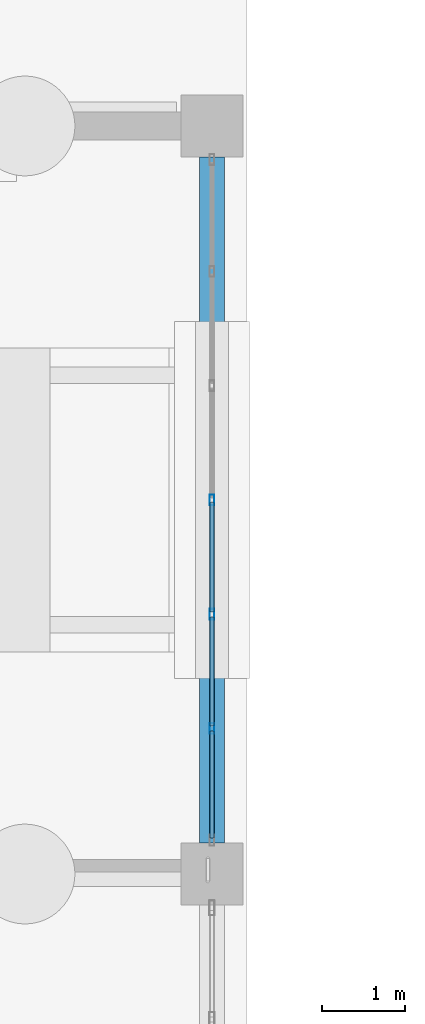
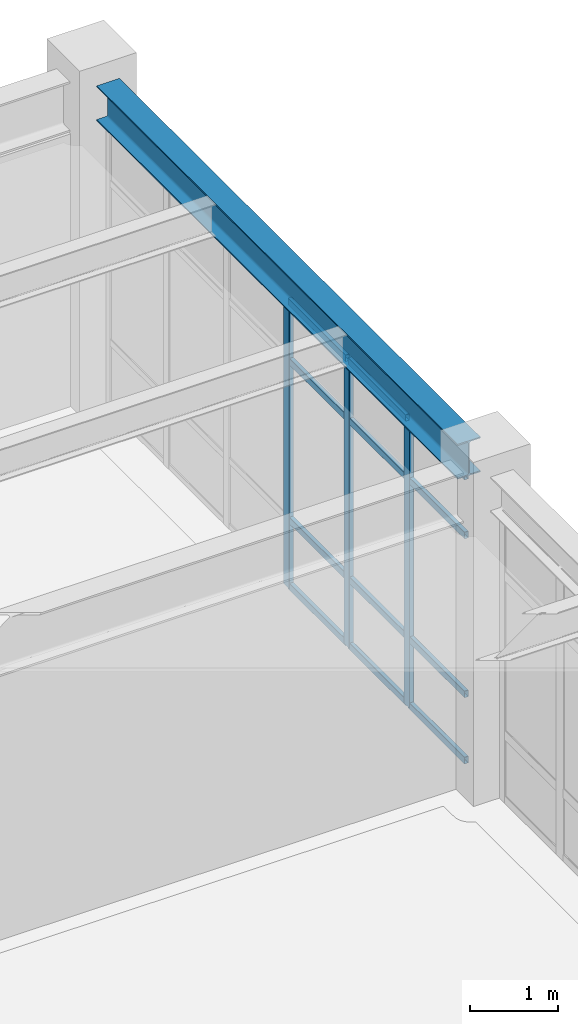
# One storey, part 50 of 98: 15 members, 1 beam, 1 element without a shape of its own.
"""IFC4 building model written with IfcOpenShell, lengths in metres."""

import ifcopenshell
import ifcopenshell.guid

model = None  # the IFC model being written
_history = None  # IfcOwnerHistory: only IFC2X3 demands one
_inside = {}  # id of a spatial element -> (the spatial element, [elements in it])
_under = {}  # id of a project, library or spatial element -> (it, [spatial elements below it])
_declared = {}  # id of a project -> (the project, [libraries it declares])
_typed = {}  # id of a type object -> (the type object, [elements of that type])
_made_of = {}  # id of a material, layer set ... -> (it, [elements and type objects made of it])


def new_model(schema):
    """Start an empty IFC model of exactly this schema.

    Asked for "IFC4X3", IfcOpenShell would pick the latest addendum, in which some entities
    have other attributes; the version numbers below select the first issue.
    IFC2X3 requires an IfcOwnerHistory on every rooted entity: one is made here for all.
    """
    global model, _history
    if schema == "IFC4X3":
        model = ifcopenshell.file(schema_version=(4, 3, 0, 0))
    else:
        model = ifcopenshell.file(schema=schema)
    _inside.clear()
    _under.clear()
    _declared.clear()
    _typed.clear()
    _made_of.clear()
    _history = None
    if model.schema == "IFC2X3":
        org = make("IfcOrganization", Name="unknown")
        user = make(
            "IfcPersonAndOrganization",
            ThePerson=make("IfcPerson", FamilyName="unknown"),
            TheOrganization=org,
        )
        app = make(
            "IfcApplication",
            ApplicationDeveloper=org,
            Version="unknown",
            ApplicationFullName="unknown",
            ApplicationIdentifier="unknown",
        )
        _history = make(
            "IfcOwnerHistory",
            OwningUser=user,
            OwningApplication=app,
            ChangeAction="ADDED",
            CreationDate=0,
        )
    return model


def make(cls, **values):
    """One entity of the class cls with the attributes given. An attribute that is None is left unset."""
    return model.create_entity(
        cls, **{name: value for name, value in values.items() if value is not None}
    )


def rooted(cls, **values):
    """An entity with a GlobalId (a new one), such as an element, a storey or a relation."""
    return make(cls, GlobalId=ifcopenshell.guid.new(), OwnerHistory=_history, **values)


def si_unit(unit_type, name, prefix=None):
    """IfcSIUnit, for example si_unit("LENGTHUNIT", "METRE", prefix="MILLI")."""
    return make("IfcSIUnit", UnitType=unit_type, Prefix=prefix, Name=name)


def assignment(units):
    """IfcUnitAssignment: the units of a project."""
    return None if units is None else make("IfcUnitAssignment", Units=units)


def point(xyz):
    """IfcCartesianPoint."""
    return None if xyz is None else make("IfcCartesianPoint", Coordinates=xyz)


def direction(xyz):
    """IfcDirection."""
    return None if xyz is None else make("IfcDirection", DirectionRatios=xyz)


def frame(location, z_axis=None, x_axis=None):
    """IfcAxis2Placement3D, a coordinate frame: its origin and axes. An axis left out is left unset."""
    return make(
        "IfcAxis2Placement3D",
        Location=point(location),
        Axis=direction(z_axis),
        RefDirection=direction(x_axis),
    )


def frame_2d(location, x_axis=None):
    """IfcAxis2Placement2D, a coordinate frame in the plane: its origin and x axis."""
    return make(
        "IfcAxis2Placement2D", Location=point(location), RefDirection=direction(x_axis)
    )


def origin():
    """The frame at (0, 0, 0) with its axes left unset."""
    return frame((0.0, 0.0, 0.0))


def origin_2d():
    """The frame at (0, 0) in the plane with its x axis left unset."""
    return frame_2d((0.0, 0.0))


def place(relative_to, where):
    """IfcLocalPlacement: puts the frame where relative to a parent placement (None: the world)."""
    return make(
        "IfcLocalPlacement", PlacementRelTo=relative_to, RelativePlacement=where
    )


def context(
    kind, dimensions, precision=None, world=None, true_north=None, identifier=None
):
    """IfcGeometricRepresentationContext, for example the 3D "Model" context."""
    return make(
        "IfcGeometricRepresentationContext",
        ContextIdentifier=identifier,
        ContextType=kind,
        CoordinateSpaceDimension=dimensions,
        Precision=precision,
        WorldCoordinateSystem=world,
        TrueNorth=true_north,
    )


def subcontext(parent, identifier, kind, view, scale=None):
    """IfcGeometricRepresentationSubContext, for example "Body" below "Model"."""
    return make(
        "IfcGeometricRepresentationSubContext",
        ContextIdentifier=identifier,
        ContextType=kind,
        ParentContext=parent,
        TargetScale=scale,
        TargetView=view,
    )


def project(units=None, contexts=None):
    """IfcProject with its units and contexts."""
    return rooted(
        "IfcProject",
        Name="project",
        RepresentationContexts=contexts,
        UnitsInContext=assignment(units),
    )


def spatial(cls, under=None, at=None, **own):
    """A site, building, storey or space (cls), placed at a placement, below another one or the project."""
    s = rooted(cls, ObjectPlacement=at, **own)
    if under is not None:
        _under.setdefault(under.id(), (under, []))[1].append(s)
    return s


def profile(cls, at=None, kind="AREA", **sizes):
    """A parametric profile (cls). Its sizes go by their IFC names, for example OverallWidth=200.0."""
    return make(cls, ProfileType=kind, Position=at, **sizes)


def hollow_rectangle(**sizes):
    """IfcRectangleHollowProfileDef."""
    return profile("IfcRectangleHollowProfileDef", **sizes)


def i_section(**sizes):
    """IfcIShapeProfileDef."""
    return profile("IfcIShapeProfileDef", **sizes)


def extrude(swept, where, along, depth):
    """IfcExtrudedAreaSolid: the profile swept, set in the frame where, extruded along a direction by depth."""
    return make(
        "IfcExtrudedAreaSolid",
        SweptArea=swept,
        Position=where,
        ExtrudedDirection=direction(along),
        Depth=depth,
    )


def shape(context_of_items, identifier, shape_type, items):
    """IfcShapeRepresentation: the items that make up one representation, for example the "Body"."""
    return make(
        "IfcShapeRepresentation",
        ContextOfItems=context_of_items,
        RepresentationIdentifier=identifier,
        RepresentationType=shape_type,
        Items=items,
    )


def material(Name=None, Category=None):
    """IfcMaterial."""
    return make("IfcMaterial", Name=Name, Category=Category)


def material_profile(
    of_material, cross_section, Name=None, Category=None, Priority=None
):
    """IfcMaterialProfile: a cross section and its material."""
    return make(
        "IfcMaterialProfile",
        Name=Name,
        Material=of_material,
        Profile=cross_section,
        Priority=Priority,
        Category=Category,
    )


def profile_set(profiles, Name=None, composite=None):
    """IfcMaterialProfileSet."""
    return make(
        "IfcMaterialProfileSet",
        Name=Name,
        MaterialProfiles=profiles,
        CompositeProfile=composite,
    )


def made_of(thing, what):
    """Note that an element or type object is made of a material, layer set ...; save() writes the relation."""
    if what is not None:
        _made_of.setdefault(what.id(), (what, []))[1].append(thing)
    return thing


def type_object(cls, material=None, **own):
    """A type object (cls), such as IfcWallType, which elements share."""
    return made_of(rooted(cls, **own), material)


def element(
    cls,
    number,
    at=None,
    inside=None,
    cuts=None,
    type_object=None,
    material=None,
    context=None,
    identifier="Body",
    shape_type=None,
    held_by="IfcProductDefinitionShape",
    body=None,
    shapes=None,
    **own,
):
    """One element of the class cls, such as IfcWall. Its Tag is "e" and its number.

    at: its placement. inside: the storey or other place that contains it. cuts: it is an
    opening in that element (IfcRelVoidsElement). A single representation is given by context,
    identifier, shape_type and body (its items); several are given by shapes. held_by: the class
    of the entity that holds the representations. save() writes the other relations.
    """
    e = rooted(cls, Tag="e%d" % number, ObjectPlacement=at, **own)
    if body is not None:
        shapes = [shape(context, identifier, shape_type, body)]
    if shapes is not None:
        e.Representation = make(held_by, Representations=shapes)
    if inside is not None:
        _inside.setdefault(inside.id(), (inside, []))[1].append(e)
    if cuts is not None:
        rooted(
            "IfcRelVoidsElement", RelatingBuildingElement=cuts, RelatedOpeningElement=e
        )
    if type_object is not None:
        _typed.setdefault(type_object.id(), (type_object, []))[1].append(e)
    return made_of(e, material)


def aggregate(whole, parts):
    """IfcRelAggregates: a whole, such as a stair, and the parts it consists of."""
    return rooted("IfcRelAggregates", RelatingObject=whole, RelatedObjects=parts)


def save(model, path):
    """Write the relations noted so far, then the file.

    IfcRelAggregates (storeys below a building ...), IfcRelContainedInSpatialStructure (elements
    in a storey), IfcRelDefinesByType, IfcRelAssociatesMaterial and IfcRelDeclares: one each for
    every whole, place, type object, material and project.
    """
    for whole, parts in _under.values():
        aggregate(whole, parts)
    for where, things in _inside.values():
        rooted(
            "IfcRelContainedInSpatialStructure",
            RelatedElements=things,
            RelatingStructure=where,
        )
    for kind, things in _typed.values():
        rooted("IfcRelDefinesByType", RelatedObjects=things, RelatingType=kind)
    for what, things in _made_of.values():
        rooted("IfcRelAssociatesMaterial", RelatedObjects=things, RelatingMaterial=what)
    for by, libraries in _declared.values():
        rooted("IfcRelDeclares", RelatingContext=by, RelatedDefinitions=libraries)
    model.write(path)


model = new_model("IFC4")

# Units and contexts
model_context = context("Model", 3, precision=1e-05, world=origin(), true_north=direction((0.0, 1.0)))
body_context = subcontext(model_context, "Body", "Model", "MODEL_VIEW")
ifc_project = project(units=[si_unit("LENGTHUNIT", "METRE"), si_unit("AREAUNIT", "SQUARE_METRE"), si_unit("VOLUMEUNIT", "CUBIC_METRE"), si_unit("PLANEANGLEUNIT", "RADIAN"), si_unit("MASSUNIT", "GRAM", prefix="KILO")], contexts=[model_context])

# Site, building, storey
site_placement = place(None, origin())
site = spatial("IfcSite", under=ifc_project, at=site_placement, CompositionType="ELEMENT")
building_placement = place(site_placement, origin())
building = spatial("IfcBuilding", under=site, at=building_placement, Name="Canglan Escarpment Cableway Terminal", CompositionType="ELEMENT")
storey_placement = place(building_placement, frame((0.0, 0.0, 9.60009765625)))
storey = spatial("IfcBuildingStorey", under=building, at=storey_placement, Name="L02", CompositionType="ELEMENT", Elevation=9.60009765625)

# Beam
ifc_material_1 = material(Name="Steel Q355B", Category="steel")
ifc_material_profile_1 = material_profile(ifc_material_1, i_section(OverallWidth=0.300048828125, OverallDepth=0.488037109375, WebThickness=0.010986328125, FlangeThickness=0.01806640625, FilletRadius=0.02587890625, at=origin_2d()), Name="HM 488x300x11x18")
ifc_profile_set_1 = profile_set([ifc_material_profile_1], Name="Steel Q355B")
beam_type = type_object("IfcBeamType", Name="BM-HM488", PredefinedType="BEAM", material=ifc_profile_set_1)
beam_placement = place(storey_placement, frame((136.699951171875, 70.375, 4.27587890625), z_axis=(0.0, 1.0, 0.0), x_axis=(-1.0, 0.0, 0.0)))
element("IfcBeam", 1, at=beam_placement, inside=storey, type_object=beam_type, Name="Primary transverse girder B-09", PredefinedType="BEAM", context=body_context, shape_type="SweptSolid", body=[
    extrude(i_section(OverallWidth=0.300048828125, OverallDepth=0.488037109375, WebThickness=0.010986328125, FlangeThickness=0.01806640625, FilletRadius=0.02587890625, at=origin_2d()), origin(), (0.0, 0.0, 1.0), 8.25),
])

# Curtain wall, members
ifc_material_2 = material(Name="Anodized bronze aluminium and Low-E double glazing", Category="aluminium")
curtain_wall_type = type_object("IfcCurtainWallType", Name="CW-BAY-8250x4025", PredefinedType="NOTDEFINED", material=ifc_material_2)
curtain_wall_placement = place(storey_placement, origin())
curtain_wall = element("IfcCurtainWall", 2, at=curtain_wall_placement, inside=storey, type_object=curtain_wall_type, Name="Classical bay-between-piers glazed curtain wall CW-43", PredefinedType="NOTDEFINED")
ifc_material_3 = material(Name="Thermally broken anodized aluminium 6063-T6", Category="aluminium")
ifc_material_profile_2 = material_profile(ifc_material_3, hollow_rectangle(XDim=0.06005859375, YDim=0.1298828125, WallThickness=0.0029296875, InnerFilletRadius=0.0029296875, OuterFilletRadius=0.006103515625, at=origin_2d()), Name="ALU-MULL 60x130x3")
ifc_profile_set_2 = profile_set([ifc_material_profile_2], Name="Thermally broken anodized aluminium 6063-T6")
member_type_1 = type_object("IfcMemberType", Name="CWM-01", PredefinedType="MULLION", material=ifc_profile_set_2)
member_1_placement = place(storey_placement, frame((136.699951171875, 71.75, 0.0), z_axis=(0.0, 0.0, 1.0), x_axis=(-1.0, 0.0, 0.0)))
member_1 = element("IfcMember", 3, at=member_1_placement, type_object=member_type_1, Name="CW-43 mullion 2", PredefinedType="MULLION", context=body_context, shape_type="SweptSolid", body=[
    extrude(hollow_rectangle(XDim=0.06005859375, YDim=0.1298828125, WallThickness=0.0029296875, InnerFilletRadius=0.0029296875, OuterFilletRadius=0.006103515625, at=origin_2d()), origin(), (0.0, 0.0, 1.0), 4.016845703125),
])
member_2_placement = place(storey_placement, frame((136.699951171875, 73.125, 0.0), z_axis=(0.0, 0.0, 1.0), x_axis=(-1.0, 0.0, 0.0)))
member_2 = element("IfcMember", 4, at=member_2_placement, type_object=member_type_1, Name="CW-43 mullion 3", PredefinedType="MULLION", context=body_context, shape_type="SweptSolid", body=[
    extrude(hollow_rectangle(XDim=0.06005859375, YDim=0.1298828125, WallThickness=0.0029296875, InnerFilletRadius=0.0029296875, OuterFilletRadius=0.006103515625, at=origin_2d()), origin(), (0.0, 0.0, 1.0), 4.016845703125),
])
member_3_placement = place(storey_placement, frame((136.699951171875, 74.5, 0.0), z_axis=(0.0, 0.0, 1.0), x_axis=(-1.0, 0.0, 0.0)))
member_3 = element("IfcMember", 5, at=member_3_placement, type_object=member_type_1, Name="CW-43 mullion 4", PredefinedType="MULLION", context=body_context, shape_type="SweptSolid", body=[
    extrude(hollow_rectangle(XDim=0.06005859375, YDim=0.1298828125, WallThickness=0.0029296875, InnerFilletRadius=0.0029296875, OuterFilletRadius=0.006103515625, at=origin_2d()), origin(), (0.0, 0.0, 1.0), 4.016845703125),
])
ifc_material_profile_3 = material_profile(ifc_material_3, hollow_rectangle(XDim=0.054931640625, YDim=0.094970703125, WallThickness=0.0029296875, InnerFilletRadius=0.0029296875, OuterFilletRadius=0.006103515625, at=origin_2d()), Name="ALU-TRAN 55x95x3")
ifc_profile_set_3 = profile_set([ifc_material_profile_3], Name="Thermally broken anodized aluminium 6063-T6")
member_type_2 = type_object("IfcMemberType", Name="CWT-01", PredefinedType="USERDEFINED", material=ifc_profile_set_3)
member_4_placement = place(storey_placement, frame((136.699951171875, 70.43505859375, 0.02734375), z_axis=(0.0, 1.0, 0.0), x_axis=(-1.0, 0.0, 0.0)))
member_4 = element("IfcMember", 6, at=member_4_placement, type_object=member_type_2, Name="CW-43 transom 1.1", ObjectType="TRANSOM", PredefinedType="USERDEFINED", context=body_context, shape_type="SweptSolid", body=[
    extrude(hollow_rectangle(XDim=0.054931640625, YDim=0.094970703125, WallThickness=0.0029296875, InnerFilletRadius=0.0029296875, OuterFilletRadius=0.006103515625, at=origin_2d()), origin(), (0.0, 0.0, 1.0), 1.284912109375),
])
member_5_placement = place(storey_placement, frame((136.699951171875, 70.43505859375, 0.949951171875), z_axis=(0.0, 1.0, 0.0), x_axis=(-1.0, 0.0, 0.0)))
member_5 = element("IfcMember", 7, at=member_5_placement, type_object=member_type_2, Name="CW-43 transom 1.2", ObjectType="TRANSOM", PredefinedType="USERDEFINED", context=body_context, shape_type="SweptSolid", body=[
    extrude(hollow_rectangle(XDim=0.054931640625, YDim=0.094970703125, WallThickness=0.0029296875, InnerFilletRadius=0.0029296875, OuterFilletRadius=0.006103515625, at=origin_2d()), origin(), (0.0, 0.0, 1.0), 1.284912109375),
])
member_6_placement = place(storey_placement, frame((136.699951171875, 70.43505859375, 3.1669921875), z_axis=(0.0, 1.0, 0.0), x_axis=(-1.0, 0.0, 0.0)))
member_6 = element("IfcMember", 8, at=member_6_placement, type_object=member_type_2, Name="CW-43 transom 1.3", ObjectType="TRANSOM", PredefinedType="USERDEFINED", context=body_context, shape_type="SweptSolid", body=[
    extrude(hollow_rectangle(XDim=0.054931640625, YDim=0.094970703125, WallThickness=0.0029296875, InnerFilletRadius=0.0029296875, OuterFilletRadius=0.006103515625, at=origin_2d()), origin(), (0.0, 0.0, 1.0), 1.284912109375),
])
member_7_placement = place(storey_placement, frame((136.699951171875, 70.43505859375, 3.989501953125), z_axis=(0.0, 1.0, 0.0), x_axis=(-1.0, 0.0, 0.0)))
member_7 = element("IfcMember", 9, at=member_7_placement, type_object=member_type_2, Name="CW-43 transom 1.4", ObjectType="TRANSOM", PredefinedType="USERDEFINED", context=body_context, shape_type="SweptSolid", body=[
    extrude(hollow_rectangle(XDim=0.054931640625, YDim=0.094970703125, WallThickness=0.0029296875, InnerFilletRadius=0.0029296875, OuterFilletRadius=0.006103515625, at=origin_2d()), origin(), (0.0, 0.0, 1.0), 1.284912109375),
])
member_8_placement = place(storey_placement, frame((136.699951171875, 71.780029296875, 0.02734375), z_axis=(0.0, 1.0, 0.0), x_axis=(-1.0, 0.0, 0.0)))
member_8 = element("IfcMember", 10, at=member_8_placement, type_object=member_type_2, Name="CW-43 transom 2.1", ObjectType="TRANSOM", PredefinedType="USERDEFINED", context=body_context, shape_type="SweptSolid", body=[
    extrude(hollow_rectangle(XDim=0.054931640625, YDim=0.094970703125, WallThickness=0.0029296875, InnerFilletRadius=0.0029296875, OuterFilletRadius=0.006103515625, at=origin_2d()), origin(), (0.0, 0.0, 1.0), 1.31494140625),
])
member_9_placement = place(storey_placement, frame((136.699951171875, 71.780029296875, 0.949951171875), z_axis=(0.0, 1.0, 0.0), x_axis=(-1.0, 0.0, 0.0)))
member_9 = element("IfcMember", 11, at=member_9_placement, type_object=member_type_2, Name="CW-43 transom 2.2", ObjectType="TRANSOM", PredefinedType="USERDEFINED", context=body_context, shape_type="SweptSolid", body=[
    extrude(hollow_rectangle(XDim=0.054931640625, YDim=0.094970703125, WallThickness=0.0029296875, InnerFilletRadius=0.0029296875, OuterFilletRadius=0.006103515625, at=origin_2d()), origin(), (0.0, 0.0, 1.0), 1.31494140625),
])
member_10_placement = place(storey_placement, frame((136.699951171875, 71.780029296875, 3.1669921875), z_axis=(0.0, 1.0, 0.0), x_axis=(-1.0, 0.0, 0.0)))
member_10 = element("IfcMember", 12, at=member_10_placement, type_object=member_type_2, Name="CW-43 transom 2.3", ObjectType="TRANSOM", PredefinedType="USERDEFINED", context=body_context, shape_type="SweptSolid", body=[
    extrude(hollow_rectangle(XDim=0.054931640625, YDim=0.094970703125, WallThickness=0.0029296875, InnerFilletRadius=0.0029296875, OuterFilletRadius=0.006103515625, at=origin_2d()), origin(), (0.0, 0.0, 1.0), 1.31494140625),
])
member_11_placement = place(storey_placement, frame((136.699951171875, 71.780029296875, 3.989501953125), z_axis=(0.0, 1.0, 0.0), x_axis=(-1.0, 0.0, 0.0)))
member_11 = element("IfcMember", 13, at=member_11_placement, type_object=member_type_2, Name="CW-43 transom 2.4", ObjectType="TRANSOM", PredefinedType="USERDEFINED", context=body_context, shape_type="SweptSolid", body=[
    extrude(hollow_rectangle(XDim=0.054931640625, YDim=0.094970703125, WallThickness=0.0029296875, InnerFilletRadius=0.0029296875, OuterFilletRadius=0.006103515625, at=origin_2d()), origin(), (0.0, 0.0, 1.0), 1.31494140625),
])
member_12_placement = place(storey_placement, frame((136.699951171875, 73.155029296875, 0.02734375), z_axis=(0.0, 1.0, 0.0), x_axis=(-1.0, 0.0, 0.0)))
member_12 = element("IfcMember", 14, at=member_12_placement, type_object=member_type_2, Name="CW-43 transom 3.1", ObjectType="TRANSOM", PredefinedType="USERDEFINED", context=body_context, shape_type="SweptSolid", body=[
    extrude(hollow_rectangle(XDim=0.054931640625, YDim=0.094970703125, WallThickness=0.0029296875, InnerFilletRadius=0.0029296875, OuterFilletRadius=0.006103515625, at=origin_2d()), origin(), (0.0, 0.0, 1.0), 1.31494140625),
])
member_13_placement = place(storey_placement, frame((136.699951171875, 73.155029296875, 0.949951171875), z_axis=(0.0, 1.0, 0.0), x_axis=(-1.0, 0.0, 0.0)))
member_13 = element("IfcMember", 15, at=member_13_placement, type_object=member_type_2, Name="CW-43 transom 3.2", ObjectType="TRANSOM", PredefinedType="USERDEFINED", context=body_context, shape_type="SweptSolid", body=[
    extrude(hollow_rectangle(XDim=0.054931640625, YDim=0.094970703125, WallThickness=0.0029296875, InnerFilletRadius=0.0029296875, OuterFilletRadius=0.006103515625, at=origin_2d()), origin(), (0.0, 0.0, 1.0), 1.31494140625),
])
member_14_placement = place(storey_placement, frame((136.699951171875, 73.155029296875, 3.1669921875), z_axis=(0.0, 1.0, 0.0), x_axis=(-1.0, 0.0, 0.0)))
member_14 = element("IfcMember", 16, at=member_14_placement, type_object=member_type_2, Name="CW-43 transom 3.3", ObjectType="TRANSOM", PredefinedType="USERDEFINED", context=body_context, shape_type="SweptSolid", body=[
    extrude(hollow_rectangle(XDim=0.054931640625, YDim=0.094970703125, WallThickness=0.0029296875, InnerFilletRadius=0.0029296875, OuterFilletRadius=0.006103515625, at=origin_2d()), origin(), (0.0, 0.0, 1.0), 1.31494140625),
])
member_15_placement = place(storey_placement, frame((136.699951171875, 73.155029296875, 3.989501953125), z_axis=(0.0, 1.0, 0.0), x_axis=(-1.0, 0.0, 0.0)))
member_15 = element("IfcMember", 17, at=member_15_placement, type_object=member_type_2, Name="CW-43 transom 3.4", ObjectType="TRANSOM", PredefinedType="USERDEFINED", context=body_context, shape_type="SweptSolid", body=[
    extrude(hollow_rectangle(XDim=0.054931640625, YDim=0.094970703125, WallThickness=0.0029296875, InnerFilletRadius=0.0029296875, OuterFilletRadius=0.006103515625, at=origin_2d()), origin(), (0.0, 0.0, 1.0), 1.31494140625),
])
aggregate(curtain_wall, [member_1, member_2, member_3, member_4, member_5, member_6, member_7, member_8, member_9, member_10, member_11, member_12, member_13, member_14, member_15])

save(model, "model.ifc")
